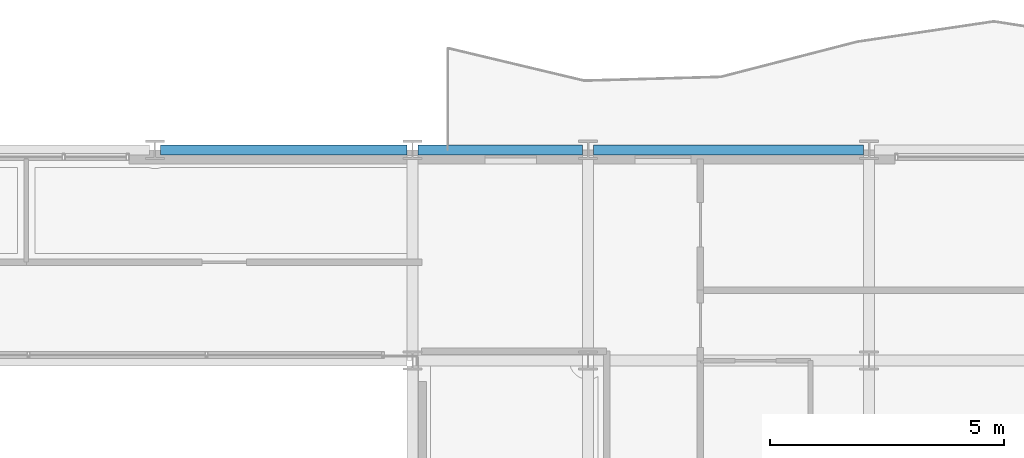
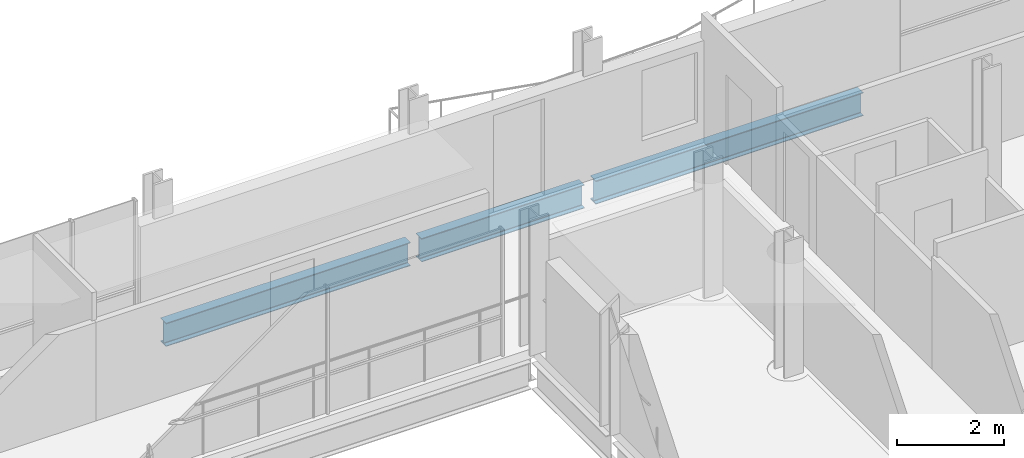
# One storey, part 25 of 41: 3 beams.
"""IFC4 building model written with IfcOpenShell, lengths in metres."""

from ifc_helpers import new_model, si_unit, direction, frame, origin, origin_2d, place, context, subcontext, project, spatial, i_section, extrude, material, material_profile, profile_set, type_object, element, save


model = new_model("IFC4")

# Units and contexts
model_context = context("Model", 3, precision=1e-05, world=origin(), true_north=direction((0.0, 1.0)))
body_context = subcontext(model_context, "Body", "Model", "MODEL_VIEW")
ifc_project = project(units=[si_unit("LENGTHUNIT", "METRE"), si_unit("AREAUNIT", "SQUARE_METRE"), si_unit("VOLUMEUNIT", "CUBIC_METRE"), si_unit("PLANEANGLEUNIT", "RADIAN"), si_unit("MASSUNIT", "GRAM", prefix="KILO")], contexts=[model_context])

# Site, building, storey
site_placement = place(None, origin())
site = spatial("IfcSite", under=ifc_project, at=site_placement, CompositionType="ELEMENT")
building_placement = place(site_placement, origin())
building = spatial("IfcBuilding", under=site, at=building_placement, Name="Brevholm Reach", CompositionType="ELEMENT")
storey_placement = place(building_placement, frame((0.0, 0.0, 157.300048828125)))
storey = spatial("IfcBuildingStorey", under=building, at=storey_placement, Name="L47", CompositionType="ELEMENT", Elevation=157.300048828125)

# Beams
ifc_material = material(Name="Structural Steel S355J2", Category="steel")
ifc_material_profile = material_profile(ifc_material, i_section(OverallWidth=0.209228515625, OverallDepth=0.533203125, WebThickness=0.010009765625, FlangeThickness=0.015625, FilletRadius=0.0126953125, at=origin_2d()), Name="UKB 533x210x92")
ifc_profile_set = profile_set([ifc_material_profile], Name="Structural Steel S355J2")
beam_type = type_object("IfcBeamType", Name="BM-SP533", PredefinedType="SPANDREL", material=ifc_profile_set)
beam_1_placement = place(storey_placement, frame((32.8701171875, 31.0, -0.486572265625), z_axis=(1.0, 0.0, 0.0), x_axis=(0.0, 1.0, 0.0)))
element("IfcBeam", 1, at=beam_1_placement, inside=storey, type_object=beam_type, Name="L47 SP-02 Framing Beam", PredefinedType="SPANDREL", context=body_context, shape_type="SweptSolid", body=[
    extrude(i_section(OverallWidth=0.209228515625, OverallDepth=0.533203125, WebThickness=0.010009765625, FlangeThickness=0.015625, FilletRadius=0.0126953125, at=origin_2d()), origin(), (0.0, 0.0, 1.0), 5.259765625),
])
beam_2_placement = place(storey_placement, frame((38.3701171875, 31.0, -0.486572265625), z_axis=(1.0, 0.0, 0.0), x_axis=(0.0, 1.0, 0.0)))
element("IfcBeam", 2, at=beam_2_placement, inside=storey, type_object=beam_type, Name="L47 SP-02 Framing Beam", PredefinedType="SPANDREL", context=body_context, shape_type="SweptSolid", body=[
    extrude(i_section(OverallWidth=0.209228515625, OverallDepth=0.533203125, WebThickness=0.010009765625, FlangeThickness=0.015625, FilletRadius=0.0126953125, at=origin_2d()), origin(), (0.0, 0.0, 1.0), 3.509765625),
])
beam_3_placement = place(storey_placement, frame((42.1201171875, 31.0, -0.486572265625), z_axis=(1.0, 0.0, 0.0), x_axis=(0.0, 1.0, 0.0)))
element("IfcBeam", 3, at=beam_3_placement, inside=storey, type_object=beam_type, Name="L47 SP-02 Framing Beam", PredefinedType="SPANDREL", context=body_context, shape_type="SweptSolid", body=[
    extrude(i_section(OverallWidth=0.209228515625, OverallDepth=0.533203125, WebThickness=0.010009765625, FlangeThickness=0.015625, FilletRadius=0.0126953125, at=origin_2d()), origin(), (0.0, 0.0, 1.0), 5.759765625),
])

save(model, "model.ifc")
